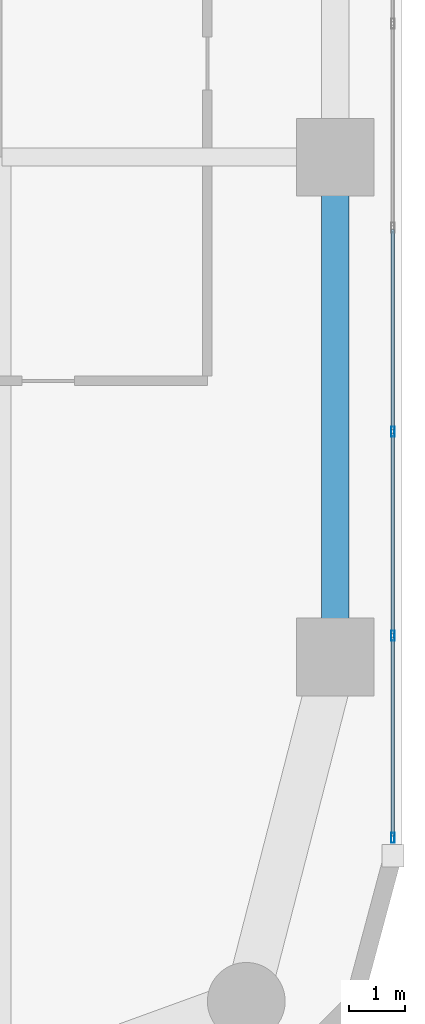
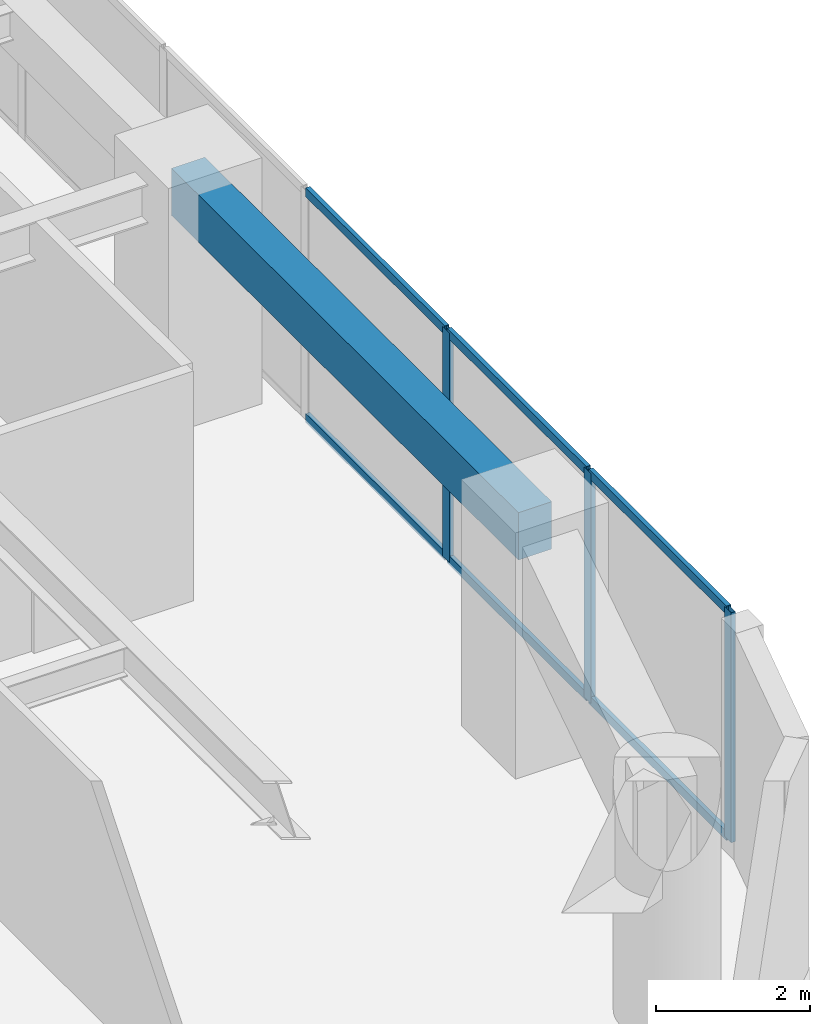
# One storey, part 4 of 24: 9 members, 1 beam, 1 element without a shape of its own.
"""IFC4 building model written with IfcOpenShell, lengths in metres."""

from ifc_helpers import new_model, si_unit, direction, frame, origin, origin_2d, place, context, subcontext, project, spatial, rectangle, hollow_rectangle, extrude, material, layer, layer_set, material_profile, profile_set, type_object, element, aggregate, save


model = new_model("IFC4")

# Units and contexts
model_context = context("Model", 3, precision=1e-05, world=origin(), true_north=direction((0.0, 1.0)))
body_context = subcontext(model_context, "Body", "Model", "MODEL_VIEW")
ifc_project = project(units=[si_unit("LENGTHUNIT", "METRE"), si_unit("AREAUNIT", "SQUARE_METRE"), si_unit("VOLUMEUNIT", "CUBIC_METRE"), si_unit("PLANEANGLEUNIT", "RADIAN"), si_unit("MASSUNIT", "GRAM", prefix="KILO")], contexts=[model_context])

# Site, building, storey
site_placement = place(None, origin())
site = spatial("IfcSite", under=ifc_project, at=site_placement, CompositionType="ELEMENT")
building_placement = place(site_placement, origin())
building = spatial("IfcBuilding", under=site, at=building_placement, Name="Kiyonajd Concourse Tower", CompositionType="ELEMENT")
storey_placement = place(building_placement, frame((0.0, 0.0, 117.0)))
storey = spatial("IfcBuildingStorey", under=building, at=storey_placement, Name="L30", CompositionType="ELEMENT", Elevation=117.0)

# Beam
ifc_material_1 = material(Name="Precast concrete C50/60", Category="concrete")
ifc_material_profile_1 = material_profile(ifc_material_1, rectangle(XDim=0.5, YDim=0.75, at=origin_2d()), Name="RCBM-500x750")
ifc_profile_set_1 = profile_set([ifc_material_profile_1], Name="Precast concrete C50/60")
beam_type = type_object("IfcBeamType", Name="BM-SPAN-RC", PredefinedType="SPANDREL", material=ifc_profile_set_1)
beam_placement = place(storey_placement, frame((69.60009765625, 18.60009765625, 3.264892578125), z_axis=(0.0, 1.0, 0.0), x_axis=(-1.0, 0.0, 0.0)))
element("IfcBeam", 1, at=beam_placement, inside=storey, type_object=beam_type, Name="L30 Perimeter Bundled Tube Spandrel", PredefinedType="SPANDREL", context=body_context, shape_type="SweptSolid", body=[
    extrude(rectangle(XDim=0.5, YDim=0.75, at=origin_2d()), origin(), (0.0, 0.0, 1.0), 9.0),
])

# Curtain wall, members
ifc_material_2 = material(Name="Thermally Broken Anodised Aluminium", Category="aluminium")
ifc_layer = layer(ifc_material_2, 0.179931640625)
ifc_layer_set = layer_set([ifc_layer], Name="Thermally Broken Anodised Aluminium")
curtain_wall_type = type_object("IfcCurtainWallType", Name="CW-SYS-03", PredefinedType="NOTDEFINED", material=ifc_layer_set)
curtain_wall_placement = place(storey_placement, origin())
curtain_wall = element("IfcCurtainWall", 2, at=curtain_wall_placement, inside=storey, type_object=curtain_wall_type, Name="L30 Unitised Curtain Wall CW3", PredefinedType="NOTDEFINED")
ifc_material_profile_2 = material_profile(ifc_material_2, hollow_rectangle(XDim=0.06494140625, YDim=0.179931640625, WallThickness=0.00390625, at=origin_2d()), Name="MULL-65x180")
ifc_profile_set_2 = profile_set([ifc_material_profile_2], Name="Thermally Broken Anodised Aluminium")
member_type_1 = type_object("IfcMemberType", Name="MB-CW-MULL1", PredefinedType="MULLION", material=ifc_profile_set_2)
member_1_placement = place(storey_placement, frame((70.639892578125, 22.657470703125, 0.0), z_axis=(0.0, 0.0, 1.0), x_axis=(1.0, 0.0, 0.0)))
member_1 = element("IfcMember", 3, at=member_1_placement, type_object=member_type_1, Name="CW3 mullion 5", PredefinedType="MULLION", context=body_context, shape_type="SweptSolid", body=[
    extrude(hollow_rectangle(XDim=0.06494140625, YDim=0.179931640625, WallThickness=0.00390625, at=origin_2d()), origin(), (0.0, 0.0, 1.0), 3.639892578125),
])
member_2_placement = place(storey_placement, frame((70.639892578125, 18.984130859375, 0.0), z_axis=(0.0, 0.0, 1.0), x_axis=(1.0, 0.0, 0.0)))
member_2 = element("IfcMember", 4, at=member_2_placement, type_object=member_type_1, Name="CW3 mullion 6", PredefinedType="MULLION", context=body_context, shape_type="SweptSolid", body=[
    extrude(hollow_rectangle(XDim=0.06494140625, YDim=0.179931640625, WallThickness=0.00390625, at=origin_2d()), origin(), (0.0, 0.0, 1.0), 3.639892578125),
])
member_3_placement = place(storey_placement, frame((70.639892578125, 15.343505859375, 0.0), z_axis=(0.0, 0.0, 1.0), x_axis=(1.0, 0.0, 0.0)))
member_3 = element("IfcMember", 5, at=member_3_placement, type_object=member_type_1, Name="CW3 mullion 7", PredefinedType="MULLION", context=body_context, shape_type="SweptSolid", body=[
    extrude(hollow_rectangle(XDim=0.06494140625, YDim=0.179931640625, WallThickness=0.00390625, at=origin_2d()), origin(), (0.0, 0.0, 1.0), 3.639892578125),
])
ifc_material_profile_3 = material_profile(ifc_material_2, hollow_rectangle(XDim=0.06494140625, YDim=0.139892578125, WallThickness=0.00390625, at=origin_2d()), Name="TRAN-65x140")
ifc_profile_set_3 = profile_set([ifc_material_profile_3], Name="Thermally Broken Anodised Aluminium")
member_type_2 = type_object("IfcMemberType", Name="MB-CW-TRAN1", PredefinedType="USERDEFINED", material=ifc_profile_set_3)
member_4_placement = place(storey_placement, frame((70.639892578125, 26.298095703125, 0.032470703125), z_axis=(0.0, -1.0, 0.0), x_axis=(1.0, 0.0, 0.0)))
member_4 = element("IfcMember", 6, at=member_4_placement, type_object=member_type_2, Name="CW3 transom 4.1", ObjectType="TRANSOM", PredefinedType="USERDEFINED", context=body_context, shape_type="SweptSolid", body=[
    extrude(hollow_rectangle(XDim=0.06494140625, YDim=0.139892578125, WallThickness=0.00390625, at=origin_2d()), origin(), (0.0, 0.0, 1.0), 3.608154296875),
])
member_5_placement = place(storey_placement, frame((70.639892578125, 26.298095703125, 3.607421875), z_axis=(0.0, -1.0, 0.0), x_axis=(1.0, 0.0, 0.0)))
member_5 = element("IfcMember", 7, at=member_5_placement, type_object=member_type_2, Name="CW3 transom 4.2", ObjectType="TRANSOM", PredefinedType="USERDEFINED", context=body_context, shape_type="SweptSolid", body=[
    extrude(hollow_rectangle(XDim=0.06494140625, YDim=0.139892578125, WallThickness=0.00390625, at=origin_2d()), origin(), (0.0, 0.0, 1.0), 3.608154296875),
])
member_6_placement = place(storey_placement, frame((70.639892578125, 22.625, 0.032470703125), z_axis=(0.0, -1.0, 0.0), x_axis=(1.0, 0.0, 0.0)))
member_6 = element("IfcMember", 8, at=member_6_placement, type_object=member_type_2, Name="CW3 transom 5.1", ObjectType="TRANSOM", PredefinedType="USERDEFINED", context=body_context, shape_type="SweptSolid", body=[
    extrude(hollow_rectangle(XDim=0.06494140625, YDim=0.139892578125, WallThickness=0.00390625, at=origin_2d()), origin(), (0.0, 0.0, 1.0), 3.608154296875),
])
member_7_placement = place(storey_placement, frame((70.639892578125, 22.625, 3.607421875), z_axis=(0.0, -1.0, 0.0), x_axis=(1.0, 0.0, 0.0)))
member_7 = element("IfcMember", 9, at=member_7_placement, type_object=member_type_2, Name="CW3 transom 5.2", ObjectType="TRANSOM", PredefinedType="USERDEFINED", context=body_context, shape_type="SweptSolid", body=[
    extrude(hollow_rectangle(XDim=0.06494140625, YDim=0.139892578125, WallThickness=0.00390625, at=origin_2d()), origin(), (0.0, 0.0, 1.0), 3.608154296875),
])
member_8_placement = place(storey_placement, frame((70.639892578125, 18.95166015625, 0.032470703125), z_axis=(0.0, -1.0, 0.0), x_axis=(1.0, 0.0, 0.0)))
member_8 = element("IfcMember", 10, at=member_8_placement, type_object=member_type_2, Name="CW3 transom 6.1", ObjectType="TRANSOM", PredefinedType="USERDEFINED", context=body_context, shape_type="SweptSolid", body=[
    extrude(hollow_rectangle(XDim=0.06494140625, YDim=0.139892578125, WallThickness=0.00390625, at=origin_2d()), origin(), (0.0, 0.0, 1.0), 3.575439453125),
])
member_9_placement = place(storey_placement, frame((70.639892578125, 18.95166015625, 3.607421875), z_axis=(0.0, -1.0, 0.0), x_axis=(1.0, 0.0, 0.0)))
member_9 = element("IfcMember", 11, at=member_9_placement, type_object=member_type_2, Name="CW3 transom 6.2", ObjectType="TRANSOM", PredefinedType="USERDEFINED", context=body_context, shape_type="SweptSolid", body=[
    extrude(hollow_rectangle(XDim=0.06494140625, YDim=0.139892578125, WallThickness=0.00390625, at=origin_2d()), origin(), (0.0, 0.0, 1.0), 3.575439453125),
])
aggregate(curtain_wall, [member_1, member_2, member_3, member_4, member_5, member_6, member_7, member_8, member_9])

save(model, "model.ifc")
